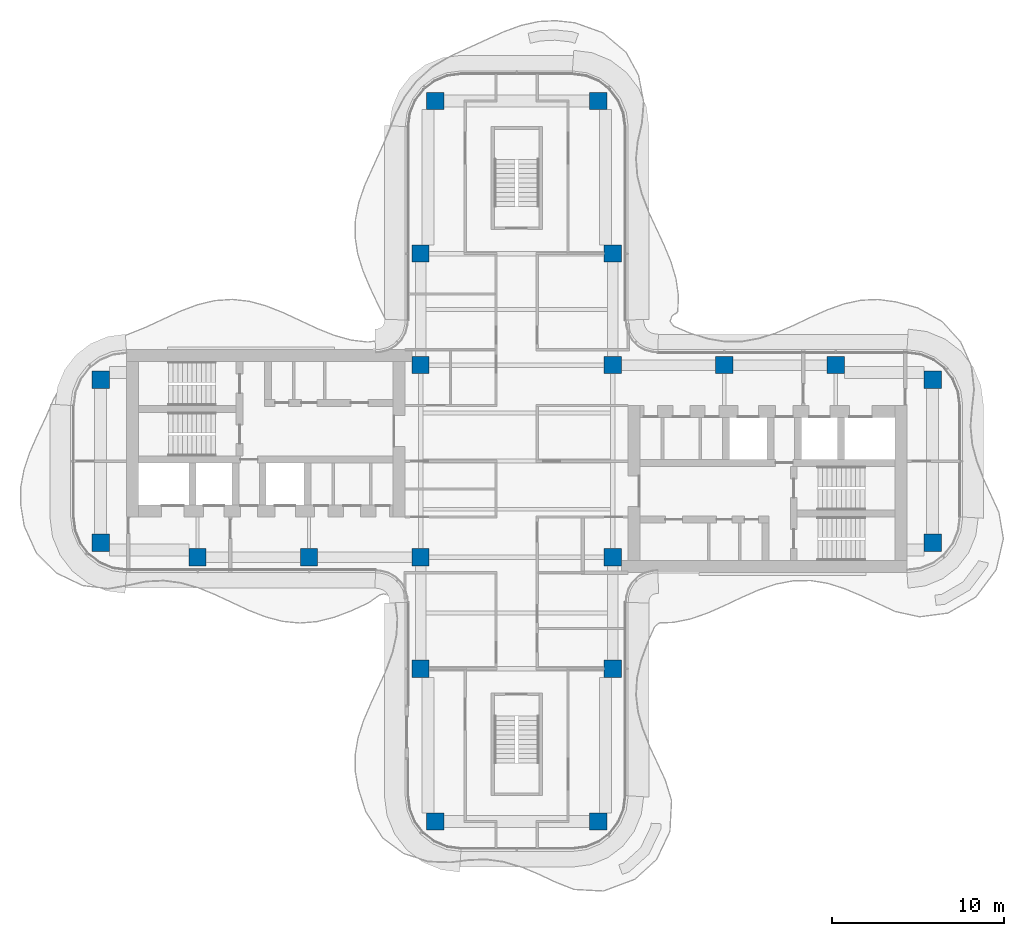
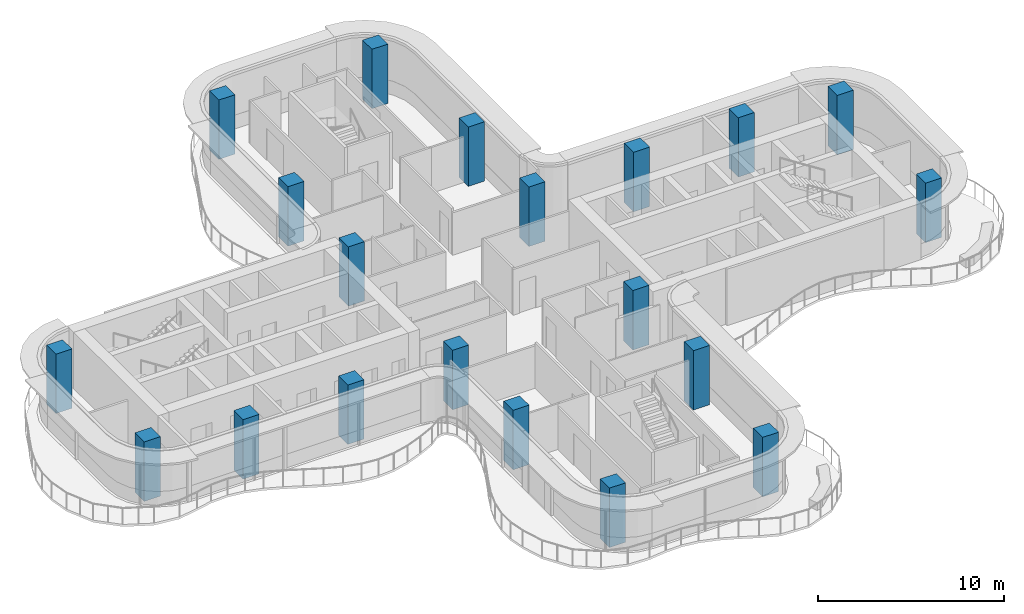
# One storey, part 1 of 16: 20 columns.
"""IFC4 building model written with IfcOpenShell, lengths in metres."""

from ifc_helpers import new_model, si_unit, direction, frame, origin, origin_2d, place, context, subcontext, project, spatial, rectangle, extrude, source, transform, mapped, material, material_profile, profile_set, type_object, element, save


model = new_model("IFC4")

# Units and contexts
model_context = context("Model", 3, precision=1e-05, world=origin(), true_north=direction((0.0, 1.0)))
body_context = subcontext(model_context, "Body", "Model", "MODEL_VIEW")
ifc_project = project(units=[si_unit("LENGTHUNIT", "METRE"), si_unit("AREAUNIT", "SQUARE_METRE"), si_unit("VOLUMEUNIT", "CUBIC_METRE"), si_unit("PLANEANGLEUNIT", "RADIAN"), si_unit("MASSUNIT", "GRAM", prefix="KILO")], contexts=[model_context])

# Site, building, storey
site_placement = place(None, origin())
site = spatial("IfcSite", under=ifc_project, at=site_placement, CompositionType="ELEMENT")
building_placement = place(site_placement, origin())
building = spatial("IfcBuilding", under=site, at=building_placement, Name="Trellis Farm Tower", CompositionType="ELEMENT")
storey_placement = place(building_placement, frame((0.0, 0.0, 298.89990234375)))
storey = spatial("IfcBuildingStorey", under=building, at=storey_placement, Name="L67", CompositionType="ELEMENT", Elevation=298.89990234375)

# Columns
ifc_material = material(Name="Concrete C60/75", Category="concrete")
ifc_material_profile = material_profile(ifc_material, rectangle(XDim=1.0, YDim=1.0, at=origin_2d()), Name="RC column 1000x1000 C60/75")
ifc_profile_set = profile_set([ifc_material_profile], Name="Concrete C60/75")
column_type = type_object("IfcColumnType", Name="RC column 1000x1000 C60/75", PredefinedType="COLUMN", material=ifc_profile_set)
shared_shape = source(origin(), body_context, "Body", "SweptSolid", [
    extrude(rectangle(XDim=1.0, YDim=1.0, at=origin_2d()), origin(), (0.0, 0.0, 1.0), 3.900146484375),
])
for number, where, z_axis, x_axis, name in (
    (1, (12.10009765625, 5.60009765625, 0.0), (0.0, 0.0, 1.0), (1.0, 0.0, 0.0), "Column"),
    (2, (18.60009765625, 5.60009765625, 0.0), (0.0, 0.0, 1.0), (1.0, 0.0, 0.0), "Column"),
    (3, (24.25, 4.75, 0.0), (0.0, 0.0, 1.0), (1.0, 0.0, 0.0), "Column"),
    (4, (24.25, -4.75, 0.0), (0.0, 0.0, 1.0), (1.0, 0.0, 0.0), "Column"),
    (5, (-5.60009765625, 12.10009765625, 0.0), (0.0, 0.0, 1.0), (1.0, 0.0, 0.0), "Column"),
    (6, (-4.75, 21.0, 0.0), (0.0, 0.0, 1.0), (1.0, 0.0, 0.0), "Column"),
    (7, (5.60009765625, 12.10009765625, 0.0), (0.0, 0.0, 1.0), (1.0, 0.0, 0.0), "Column"),
    (8, (4.75, 21.0, 0.0), (0.0, 0.0, 1.0), (1.0, 0.0, 0.0), "Column"),
    (9, (5.60009765625, 5.60009765625, 0.0), (0.0, 0.0, 1.0), (1.0, 0.0, 0.0), "Column"),
    (10, (-5.60009765625, 5.60009765625, 0.0), (0.0, 0.0, 1.0), (1.0, 0.0, 0.0), "Column"),
    (11, (5.60009765625, -5.60009765625, 0.0), (0.0, 0.0, 1.0), (1.0, 0.0, 0.0), "Column"),
    (12, (-5.60009765625, -5.60009765625, 0.0), (0.0, 0.0, 1.0), (1.0, 0.0, 0.0), "Column"),
    (13, (5.60009765625, -12.10009765625, 0.0), (0.0, 0.0, 1.0), (1.0, 0.0, 0.0), "Column"),
    (14, (4.75, -21.0, 0.0), (0.0, 0.0, 1.0), (1.0, 0.0, 0.0), "Column"),
    (15, (-5.60009765625, -12.10009765625, 0.0), (0.0, 0.0, 1.0), (1.0, 0.0, 0.0), "Column"),
    (16, (-4.75, -21.0, 0.0), (0.0, 0.0, 1.0), (1.0, 0.0, 0.0), "Column"),
    (17, (-12.10009765625, -5.60009765625, 0.0), (0.0, 0.0, 1.0), (1.0, 0.0, 0.0), "Column"),
    (18, (-18.60009765625, -5.60009765625, 0.0), (0.0, 0.0, 1.0), (1.0, 0.0, 0.0), "Column"),
    (19, (-24.25, -4.75, 0.0), (0.0, 0.0, 1.0), (1.0, 0.0, 0.0), "Column"),
    (20, (-24.25, 4.75, 0.0), (0.0, 0.0, 1.0), (1.0, 0.0, 0.0), "Column"),
):
    element("IfcColumn", number, at=place(storey_placement, frame(where, z_axis=z_axis, x_axis=x_axis)), inside=storey, type_object=column_type, Name=name, PredefinedType="COLUMN", context=body_context, shape_type="MappedRepresentation", body=[
        mapped(shared_shape, transform((0.0, 0.0, 0.0))),
    ])

save(model, "model.ifc")
